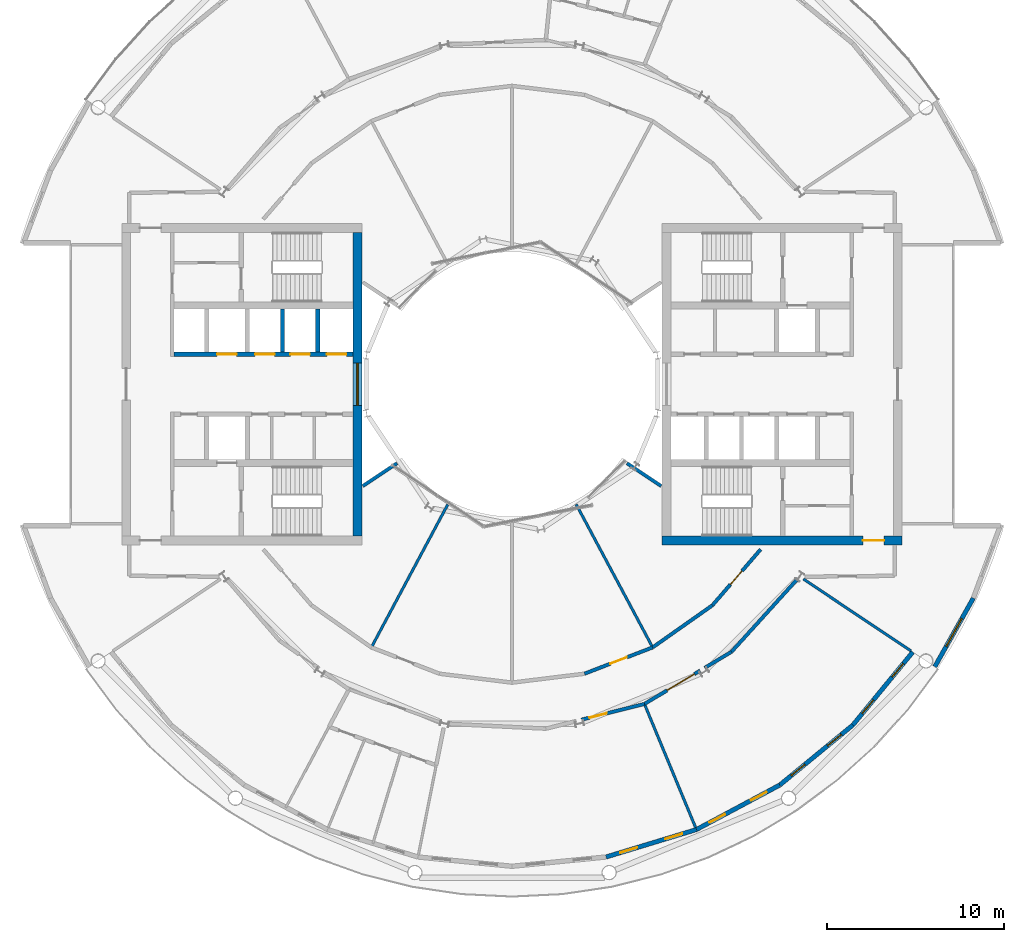
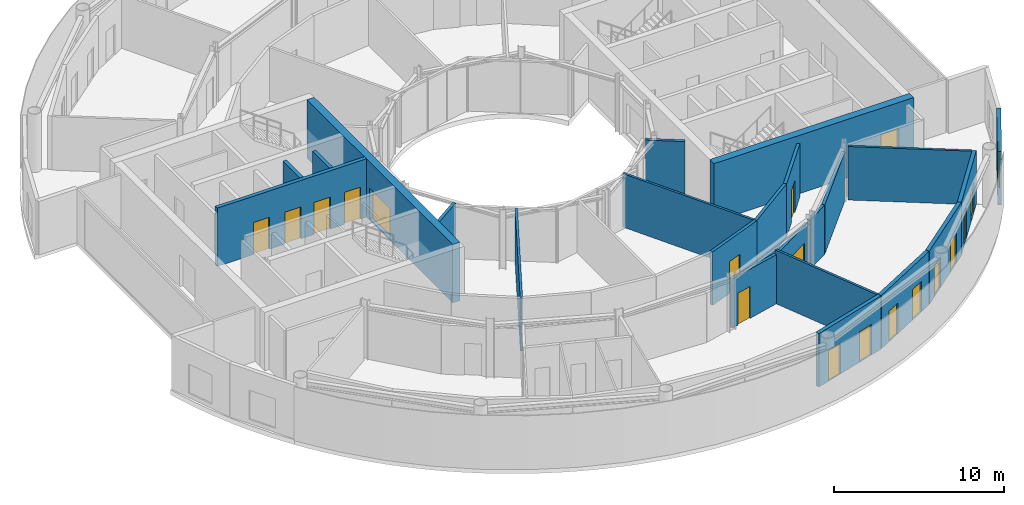
# One storey, part 14 of 21: 23 walls, 17 doors, 2 windows, 19 openings.
"""IFC4 building model written with IfcOpenShell, lengths in metres."""

from ifc_helpers import new_model, si_unit, direction, frame, frame_2d, origin, place, context, subcontext, project, spatial, rectangle, extrude, material, layer, layer_set, type_object, element, fill, save


model = new_model("IFC4")

# Units and contexts
model_context = context("Model", 3, precision=1e-05, world=origin(), true_north=direction((0.0, 1.0)))
body_context = subcontext(model_context, "Body", "Model", "MODEL_VIEW")
ifc_project = project(units=[si_unit("LENGTHUNIT", "METRE"), si_unit("AREAUNIT", "SQUARE_METRE"), si_unit("VOLUMEUNIT", "CUBIC_METRE"), si_unit("PLANEANGLEUNIT", "RADIAN"), si_unit("MASSUNIT", "GRAM", prefix="KILO")], contexts=[model_context])

# Site, building, storey
site_placement = place(None, origin())
site = spatial("IfcSite", under=ifc_project, at=site_placement, CompositionType="ELEMENT")
building_placement = place(site_placement, origin())
building = spatial("IfcBuilding", under=site, at=building_placement, Name="Maasbend Ring Residences", CompositionType="ELEMENT")
storey_placement = place(building_placement, frame((0.0, 0.0, 157.39990234375)))
storey = spatial("IfcBuildingStorey", under=building, at=storey_placement, Name="L45", CompositionType="ELEMENT", Elevation=157.39990234375)

# Wall, openings, doors
ifc_material_1 = material(Name="Concrete C60/75", Category="concrete")
ifc_layer_1 = layer(ifc_material_1, 0.25)
ifc_layer_set_1 = layer_set([ifc_layer_1], Name="Concrete C60/75")
wall_type_1 = type_object("IfcWallType", Name="CORE WALL 250 C60/75", PredefinedType="SHEAR", material=ifc_layer_set_1)
wall_1_placement = place(storey_placement, frame((-9.0, 1.699951171875, 0.0), z_axis=(0.0, 0.0, 1.0), x_axis=(-1.0, 0.0, 0.0)))
wall_1 = element("IfcWall", 1, at=wall_1_placement, inside=storey, type_object=wall_type_1, Name="L45 core W wall SPS", PredefinedType="SHEAR", context=body_context, shape_type="SweptSolid", body=[
    extrude(rectangle(XDim=10.14990234375, YDim=0.25, at=frame_2d((5.074951171875, 0.0))), origin(), (0.0, 0.0, 1.0), 4.2001953125),
])
opening_1_placement = place(wall_1_placement, frame((0.387451171875, 0.0, 0.0)))
opening_1 = element("IfcOpeningElement", 2, at=opening_1_placement, cuts=wall_1, Name="Opening LD-W4502", PredefinedType="OPENING", context=body_context, shape_type="SweptSolid", body=[
    extrude(rectangle(XDim=1.10009765625, YDim=2.300048828125, at=frame_2d((0.550048828125, 1.14990234375))), frame((0.0, 0.135009765625, 0.0), z_axis=(0.0, -1.0, 0.0), x_axis=(1.0, 0.0, 0.0)), (0.0, 0.0, 1.0), 0.27001953125),
])
opening_2_placement = place(wall_1_placement, frame((2.449951171875, 0.0, 0.0)))
opening_2 = element("IfcOpeningElement", 3, at=opening_2_placement, cuts=wall_1, Name="Opening LD-W4503", PredefinedType="OPENING", context=body_context, shape_type="SweptSolid", body=[
    extrude(rectangle(XDim=1.10009765625, YDim=2.300048828125, at=frame_2d((0.550048828125, 1.14990234375))), frame((0.0, 0.135009765625, 0.0), z_axis=(0.0, -1.0, 0.0), x_axis=(1.0, 0.0, 0.0)), (0.0, 0.0, 1.0), 0.27001953125),
])
opening_3_placement = place(wall_1_placement, frame((4.449951171875, 0.0, 0.0)))
opening_3 = element("IfcOpeningElement", 4, at=opening_3_placement, cuts=wall_1, Name="Opening LD-W4504", PredefinedType="OPENING", context=body_context, shape_type="SweptSolid", body=[
    extrude(rectangle(XDim=1.10009765625, YDim=2.300048828125, at=frame_2d((0.550048828125, 1.14990234375))), frame((0.0, 0.135009765625, 0.0), z_axis=(0.0, -1.0, 0.0), x_axis=(1.0, 0.0, 0.0)), (0.0, 0.0, 1.0), 0.27001953125),
])
opening_4_placement = place(wall_1_placement, frame((6.60009765625, 0.0, 0.0)))
opening_4 = element("IfcOpeningElement", 5, at=opening_4_placement, cuts=wall_1, Name="Opening LD-W4505", PredefinedType="OPENING", context=body_context, shape_type="SweptSolid", body=[
    extrude(rectangle(XDim=1.10009765625, YDim=2.300048828125, at=frame_2d((0.550048828125, 1.14990234375))), frame((0.0, 0.135009765625, 0.0), z_axis=(0.0, -1.0, 0.0), x_axis=(1.0, 0.0, 0.0)), (0.0, 0.0, 1.0), 0.27001953125),
])
ifc_material_2 = material(Name="Stainless steel 316", Category="steel")
door_type_1 = type_object("IfcDoorType", Name="LANDING DOOR 1100 X 2300 FD60", OperationType="DOUBLE_DOOR_SLIDING", PredefinedType="DOOR", material=ifc_material_2)
door_1_placement = place(opening_1_placement, origin())
door_1 = element("IfcDoor", 6, at=door_1_placement, inside=storey, type_object=door_type_1, Name="Landing door HR-W1 L45", OperationType="DOUBLE_DOOR_SLIDING", OverallHeight=2.300048828125, OverallWidth=1.10009765625, PredefinedType="DOOR", context=body_context, shape_type="SweptSolid", body=[
    extrude(rectangle(XDim=1.10009765625, YDim=2.300048828125, at=frame_2d((0.550048828125, 1.14990234375))), frame((0.0, 0.02490234375, 0.0), z_axis=(0.0, -1.0, 0.0), x_axis=(1.0, 0.0, 0.0)), (0.0, 0.0, 1.0), 0.050048828125),
])
fill(opening_1, door_1)
door_2_placement = place(opening_2_placement, origin())
door_2 = element("IfcDoor", 7, at=door_2_placement, inside=storey, type_object=door_type_1, Name="Landing door HR-W2 L45", OperationType="DOUBLE_DOOR_SLIDING", OverallHeight=2.300048828125, OverallWidth=1.10009765625, PredefinedType="DOOR", context=body_context, shape_type="SweptSolid", body=[
    extrude(rectangle(XDim=1.10009765625, YDim=2.300048828125, at=frame_2d((0.550048828125, 1.14990234375))), frame((0.0, 0.02490234375, 0.0), z_axis=(0.0, -1.0, 0.0), x_axis=(1.0, 0.0, 0.0)), (0.0, 0.0, 1.0), 0.050048828125),
])
fill(opening_2, door_2)
door_3_placement = place(opening_3_placement, origin())
door_3 = element("IfcDoor", 8, at=door_3_placement, inside=storey, type_object=door_type_1, Name="Landing door HR-W3 L45", OperationType="DOUBLE_DOOR_SLIDING", OverallHeight=2.300048828125, OverallWidth=1.10009765625, PredefinedType="DOOR", context=body_context, shape_type="SweptSolid", body=[
    extrude(rectangle(XDim=1.10009765625, YDim=2.300048828125, at=frame_2d((0.550048828125, 1.14990234375))), frame((0.0, 0.02490234375, 0.0), z_axis=(0.0, -1.0, 0.0), x_axis=(1.0, 0.0, 0.0)), (0.0, 0.0, 1.0), 0.050048828125),
])
fill(opening_3, door_3)
door_4_placement = place(opening_4_placement, origin())
door_4 = element("IfcDoor", 9, at=door_4_placement, inside=storey, type_object=door_type_1, Name="Landing door SV-W L45", OperationType="DOUBLE_DOOR_SLIDING", OverallHeight=2.300048828125, OverallWidth=1.10009765625, PredefinedType="DOOR", context=body_context, shape_type="SweptSolid", body=[
    extrude(rectangle(XDim=1.10009765625, YDim=2.300048828125, at=frame_2d((0.550048828125, 1.14990234375))), frame((0.0, 0.02490234375, 0.0), z_axis=(0.0, -1.0, 0.0), x_axis=(1.0, 0.0, 0.0)), (0.0, 0.0, 1.0), 0.050048828125),
])
fill(opening_4, door_4)

# Wall, opening, door
ifc_material_3 = material(Name="Concrete C60/75", Category="concrete")
ifc_layer_2 = layer(ifc_material_3, 0.5)
ifc_layer_set_2 = layer_set([ifc_layer_2], Name="Concrete C60/75")
wall_type_2 = type_object("IfcWallType", Name="CORE WALL 500 C60/75", PredefinedType="SHEAR", material=ifc_layer_set_2)
wall_2_placement = place(storey_placement, frame((8.5, -8.85009765625, 0.0), z_axis=(0.0, 0.0, 1.0), x_axis=(1.0, 0.0, 0.0)))
wall_2 = element("IfcWall", 10, at=wall_2_placement, inside=storey, type_object=wall_type_2, Name="L45 core E wall PS", PredefinedType="SHEAR", context=body_context, shape_type="SweptSolid", body=[
    extrude(rectangle(XDim=13.60009765625, YDim=0.5, at=frame_2d((6.800048828125, 0.0))), origin(), (0.0, 0.0, 1.0), 4.2001953125),
])
opening_5_placement = place(wall_2_placement, frame((11.375, 0.0, 0.0)))
opening_5 = element("IfcOpeningElement", 11, at=opening_5_placement, cuts=wall_2, Name="Opening D-E4516", PredefinedType="OPENING", context=body_context, shape_type="SweptSolid", body=[
    extrude(rectangle(XDim=1.199951171875, YDim=2.300048828125, at=frame_2d((0.60009765625, 1.14990234375))), frame((0.0, 0.260009765625, 0.0), z_axis=(0.0, -1.0, 0.0), x_axis=(1.0, 0.0, 0.0)), (0.0, 0.0, 1.0), 0.52001953125),
])
ifc_material_4 = material(Name="Steel, powder coated", Category="steel")
door_type_2 = type_object("IfcDoorType", Name="CORRIDOR DOOR 1200 X 2300 FD30S", OperationType="NOTDEFINED", PredefinedType="DOOR", material=ifc_material_4)
door_5_placement = place(opening_5_placement, origin())
door_5 = element("IfcDoor", 12, at=door_5_placement, inside=storey, type_object=door_type_2, Name="Corridor door L45", OperationType="SINGLE_SWING_LEFT", OverallHeight=2.300048828125, OverallWidth=1.199951171875, PredefinedType="DOOR", context=body_context, shape_type="SweptSolid", body=[
    extrude(rectangle(XDim=1.199951171875, YDim=2.300048828125, at=frame_2d((0.60009765625, 1.14990234375))), frame((0.0, 0.02490234375, 0.0), z_axis=(0.0, -1.0, 0.0), x_axis=(1.0, 0.0, 0.0)), (0.0, 0.0, 1.0), 0.050048828125),
])
fill(opening_5, door_5)

# Wall, opening, window
wall_3_placement = place(storey_placement, frame((-8.75, 8.60009765625, 0.0), z_axis=(0.0, 0.0, 1.0), x_axis=(0.0, -1.0, 0.0)))
wall_3 = element("IfcWall", 13, at=wall_3_placement, inside=storey, type_object=wall_type_2, Name="L45 core W wall PIN", PredefinedType="SHEAR", context=body_context, shape_type="SweptSolid", body=[
    extrude(rectangle(XDim=17.2001953125, YDim=0.5, at=frame_2d((8.60009765625, 0.0))), origin(), (0.0, 0.0, 1.0), 4.2001953125),
])
opening_6_placement = place(wall_3_placement, frame((7.39990234375, 0.0, 0.10009765625)))
opening_6 = element("IfcOpeningElement", 14, at=opening_6_placement, cuts=wall_3, Name="Opening W-W4501", PredefinedType="OPENING", context=body_context, shape_type="SweptSolid", body=[
    extrude(rectangle(XDim=2.39990234375, YDim=2.199951171875, at=frame_2d((1.199951171875, 1.10009765625))), frame((0.0, 0.260009765625, 0.0), z_axis=(0.0, -1.0, 0.0), x_axis=(1.0, 0.0, 0.0)), (0.0, 0.0, 1.0), 0.52001953125),
])
ifc_material_5 = material(Name="Aluminium frame and clear glass", Category="aluminium")
window_type_1 = type_object("IfcWindowType", Name="FIXED WINDOW 2400 X 2200", PartitioningType="SINGLE_PANEL", PredefinedType="WINDOW", material=ifc_material_5)
window_1_placement = place(opening_6_placement, origin())
window_1 = element("IfcWindow", 15, at=window_1_placement, inside=storey, type_object=window_type_1, Name="Lobby window L45", OverallHeight=2.199951171875, OverallWidth=2.39990234375, PartitioningType="SINGLE_PANEL", PredefinedType="WINDOW", context=body_context, shape_type="SweptSolid", body=[
    extrude(rectangle(XDim=2.39990234375, YDim=2.199951171875, at=frame_2d((1.199951171875, 1.10009765625))), frame((0.0, 0.030029296875, 0.0), z_axis=(0.0, -1.0, 0.0), x_axis=(1.0, 0.0, 0.0)), (0.0, 0.0, 1.0), 0.06005859375),
])
fill(opening_6, window_1)

# Wall, opening, door
ifc_material_6 = material(Name="Concrete C30/37", Category="concrete")
ifc_layer_3 = layer(ifc_material_6, 0.199951171875)
ifc_layer_set_3 = layer_set([ifc_layer_3], Name="Concrete C30/37")
wall_type_3 = type_object("IfcWallType", Name="CORRIDOR WALL 200 CONCRETE", PredefinedType="PARTITIONING", material=ifc_layer_set_3)
wall_4_placement = place(storey_placement, frame((3.93310546875, -19.001953125, 0.0), z_axis=(0.0, 0.0, 1.0), x_axis=(0.970009604092, 0.243066591637, 0.0)))
wall_4 = element("IfcWall", 16, at=wall_4_placement, inside=storey, type_object=wall_type_3, Name="U-L45-w010", PredefinedType="PARTITIONING", context=body_context, shape_type="SweptSolid", body=[
    extrude(rectangle(XDim=3.67822265625, YDim=0.199951171875, at=frame_2d((1.839111328125, 0.0))), origin(), (0.0, 0.0, 1.0), 3.5400390625),
])
opening_7_placement = place(wall_4_placement, frame((0.47607421875, 0.0, 0.0)))
opening_7 = element("IfcOpeningElement", 17, at=opening_7_placement, cuts=wall_4, Name="Opening D-4517", PredefinedType="OPENING", context=body_context, shape_type="SweptSolid", body=[
    extrude(rectangle(XDim=1.0, YDim=2.300048828125, at=frame_2d((0.5, 1.14990234375))), frame((0.0, 0.10986328125, 0.0), z_axis=(0.0, -1.0, 0.0), x_axis=(1.0, 0.0, 0.0)), (0.0, 0.0, 1.0), 0.219970703125),
])
ifc_material_7 = material(Name="Timber, painted", Category="wood")
door_type_3 = type_object("IfcDoorType", Name="ROOM DOOR 1000 X 2300", OperationType="NOTDEFINED", PredefinedType="DOOR", material=ifc_material_7)
door_6_placement = place(opening_7_placement, origin())
door_6 = element("IfcDoor", 18, at=door_6_placement, inside=storey, type_object=door_type_3, Name="D-4517", OperationType="SINGLE_SWING_LEFT", OverallHeight=2.300048828125, OverallWidth=1.0, PredefinedType="DOOR", context=body_context, shape_type="SweptSolid", body=[
    extrude(rectangle(XDim=1.0, YDim=2.300048828125, at=frame_2d((0.5, 1.14990234375))), frame((0.0, 0.02490234375, 0.0), z_axis=(0.0, -1.0, 0.0), x_axis=(1.0, 0.0, 0.0)), (0.0, 0.0, 1.0), 0.050048828125),
])
fill(opening_7, door_6)

wall_5_placement = place(storey_placement, frame((7.5009765625, -18.10791015625, 0.0), z_axis=(0.0, 0.0, 1.0), x_axis=(0.857750505244, 0.514066212421, 0.0)))
wall_5 = element("IfcWall", 19, at=wall_5_placement, inside=storey, type_object=wall_type_3, Name="U-L45-w011", PredefinedType="PARTITIONING", context=body_context, shape_type="SweptSolid", body=[
    extrude(rectangle(XDim=3.67822265625, YDim=0.199951171875, at=frame_2d((1.839111328125, 0.0))), origin(), (0.0, 0.0, 1.0), 3.5400390625),
])
opening_8_placement = place(wall_5_placement, frame((1.5, 0.0, 0.0)))
opening_8 = element("IfcOpeningElement", 20, at=opening_8_placement, cuts=wall_5, Name="Opening D-4518", PredefinedType="OPENING", context=body_context, shape_type="SweptSolid", body=[
    extrude(rectangle(XDim=1.800048828125, YDim=2.300048828125, at=frame_2d((0.89990234375, 1.14990234375))), frame((0.0, 0.10986328125, 0.0), z_axis=(0.0, -1.0, 0.0), x_axis=(1.0, 0.0, 0.0)), (0.0, 0.0, 1.0), 0.219970703125),
])
ifc_material_8 = material(Name="Timber, painted", Category="wood")
door_type_4 = type_object("IfcDoorType", Name="DOUBLE DOOR 1800 X 2300", OperationType="NOTDEFINED", PredefinedType="DOOR", material=ifc_material_8)
door_7_placement = place(opening_8_placement, origin())
door_7 = element("IfcDoor", 21, at=door_7_placement, inside=storey, type_object=door_type_4, Name="D-4518", OperationType="DOUBLE_DOOR_SINGLE_SWING", OverallHeight=2.300048828125, OverallWidth=1.800048828125, PredefinedType="DOOR", context=body_context, shape_type="SweptSolid", body=[
    extrude(rectangle(XDim=1.800048828125, YDim=2.300048828125, at=frame_2d((0.89990234375, 1.14990234375))), frame((0.0, 0.02490234375, 0.0), z_axis=(0.0, -1.0, 0.0), x_axis=(1.0, 0.0, 0.0)), (0.0, 0.0, 1.0), 0.050048828125),
])
fill(opening_8, door_7)

# Walls
wall_6_placement = place(storey_placement, frame((10.9130859375, -16.06298828125, 0.0), z_axis=(0.0, 0.0, 1.0), x_axis=(0.857614365469, 0.514293301668, 0.0)))
element("IfcWall", 22, at=wall_6_placement, inside=storey, type_object=wall_type_3, Name="U-L45-w012", PredefinedType="PARTITIONING", context=body_context, shape_type="SweptSolid", body=[
    extrude(rectangle(XDim=1.7734375, YDim=0.199951171875, at=frame_2d((0.88671875, 0.0))), origin(), (0.0, 0.0, 1.0), 3.5400390625),
])
wall_7_placement = place(storey_placement, frame((12.43408203125, -15.15087890625, 0.0), z_axis=(0.0, 0.0, 1.0), x_axis=(0.671532887857, 0.740974750262, 0.0)))
element("IfcWall", 23, at=wall_7_placement, inside=storey, type_object=wall_type_3, Name="U-L45-w013", PredefinedType="PARTITIONING", context=body_context, shape_type="SweptSolid", body=[
    extrude(rectangle(XDim=5.6005859375, YDim=0.199951171875, at=frame_2d((2.80029296875, 0.0))), origin(), (0.0, 0.0, 1.0), 3.5400390625),
])

# Wall, opening, door
wall_8_placement = place(storey_placement, frame((4.10595703125, -16.39404296875, 0.0), z_axis=(0.0, 0.0, 1.0), x_axis=(0.932943640288, 0.360022449363, 0.0)))
wall_8 = element("IfcWall", 24, at=wall_8_placement, inside=storey, type_object=wall_type_3, Name="U-L45-w019", PredefinedType="PARTITIONING", context=body_context, shape_type="SweptSolid", body=[
    extrude(rectangle(XDim=4.138671875, YDim=0.199951171875, at=frame_2d((2.0693359375, 0.0))), origin(), (0.0, 0.0, 1.0), 3.85009765625),
])
opening_9_placement = place(wall_8_placement, frame((1.569091796875, 0.0, 0.0)))
opening_9 = element("IfcOpeningElement", 25, at=opening_9_placement, cuts=wall_8, Name="Opening D-4521", PredefinedType="OPENING", context=body_context, shape_type="SweptSolid", body=[
    extrude(rectangle(XDim=1.0, YDim=2.300048828125, at=frame_2d((0.5, 1.14990234375))), frame((0.0, 0.10986328125, 0.0), z_axis=(0.0, -1.0, 0.0), x_axis=(1.0, 0.0, 0.0)), (0.0, 0.0, 1.0), 0.219970703125),
])
door_8_placement = place(opening_9_placement, origin())
door_8 = element("IfcDoor", 26, at=door_8_placement, inside=storey, type_object=door_type_3, Name="D-4521", OperationType="SINGLE_SWING_RIGHT", OverallHeight=2.300048828125, OverallWidth=1.0, PredefinedType="DOOR", context=body_context, shape_type="SweptSolid", body=[
    extrude(rectangle(XDim=1.0, YDim=2.300048828125, at=frame_2d((0.5, 1.14990234375))), frame((0.0, 0.02490234375, 0.0), z_axis=(0.0, -1.0, 0.0), x_axis=(1.0, 0.0, 0.0)), (0.0, 0.0, 1.0), 0.050048828125),
])
fill(opening_9, door_8)

# Wall
wall_9_placement = place(storey_placement, frame((7.967041015625, -14.904052734375, 0.0), z_axis=(0.0, 0.0, 1.0), x_axis=(0.817567680547, 0.575832517079, 0.0)))
element("IfcWall", 27, at=wall_9_placement, inside=storey, type_object=wall_type_3, Name="U-L45-w020", PredefinedType="PARTITIONING", context=body_context, shape_type="SweptSolid", body=[
    extrude(rectangle(XDim=4.13671875, YDim=0.199951171875, at=frame_2d((2.068359375, 0.0))), origin(), (0.0, 0.0, 1.0), 3.85009765625),
])

# Wall, opening, door
wall_10_placement = place(storey_placement, frame((11.34912109375, -12.52197265625, 0.0), z_axis=(0.0, 0.0, 1.0), x_axis=(0.653273870261, 0.757121687996, 0.0)))
wall_10 = element("IfcWall", 28, at=wall_10_placement, inside=storey, type_object=wall_type_3, Name="U-L45-w021", PredefinedType="PARTITIONING", context=body_context, shape_type="SweptSolid", body=[
    extrude(rectangle(XDim=4.189453125, YDim=0.199951171875, at=frame_2d((2.0947265625, 0.0))), origin(), (0.0, 0.0, 1.0), 3.85009765625),
])
opening_10_placement = place(wall_10_placement, frame((1.569091796875, 0.0, 0.0)))
opening_10 = element("IfcOpeningElement", 29, at=opening_10_placement, cuts=wall_10, Name="Opening D-4522", PredefinedType="OPENING", context=body_context, shape_type="SweptSolid", body=[
    extrude(rectangle(XDim=1.0, YDim=2.300048828125, at=frame_2d((0.5, 1.14990234375))), frame((0.0, 0.10986328125, 0.0), z_axis=(0.0, -1.0, 0.0), x_axis=(1.0, 0.0, 0.0)), (0.0, 0.0, 1.0), 0.219970703125),
])
door_9_placement = place(opening_10_placement, origin())
door_9 = element("IfcDoor", 30, at=door_9_placement, inside=storey, type_object=door_type_3, Name="D-4522", OperationType="SINGLE_SWING_RIGHT", OverallHeight=2.300048828125, OverallWidth=1.0, PredefinedType="DOOR", context=body_context, shape_type="SweptSolid", body=[
    extrude(rectangle(XDim=1.0, YDim=2.300048828125, at=frame_2d((0.5, 1.14990234375))), frame((0.0, 0.02490234375, 0.0), z_axis=(0.0, -1.0, 0.0), x_axis=(1.0, 0.0, 0.0)), (0.0, 0.0, 1.0), 0.050048828125),
])
fill(opening_10, door_9)

# Wall, openings, doors
ifc_material_9 = material(Name="Aluminium clad insulated panel", Category="aluminium")
ifc_layer_4 = layer(ifc_material_9, 0.25)
ifc_layer_set_4 = layer_set([ifc_layer_4], Name="EW-GL")
wall_type_4 = type_object("IfcWallType", Name="EW-GL", PredefinedType="SOLIDWALL", material=ifc_layer_set_4)
wall_11_placement = place(storey_placement, frame((5.325927734375, -26.77490234375, 0.0), z_axis=(0.0, 0.0, 1.0), x_axis=(0.956965678721, 0.290201119486, 0.0)))
wall_11 = element("IfcWall", 31, at=wall_11_placement, inside=storey, type_object=wall_type_4, Name="External wall S07", PredefinedType="SOLIDWALL", context=body_context, shape_type="SweptSolid", body=[
    extrude(rectangle(XDim=5.351318359375, YDim=0.25, at=frame_2d((2.67578125, 0.0))), origin(), (0.0, 0.0, 1.0), 3.85009765625),
])
opening_11_placement = place(wall_11_placement, frame((0.841064453125, 0.0, 0.0)))
opening_11 = element("IfcOpeningElement", 32, at=opening_11_placement, cuts=wall_11, Name="Opening D-LG", PredefinedType="OPENING", context=body_context, shape_type="SweptSolid", body=[
    extrude(rectangle(XDim=1.0, YDim=2.199951171875, at=frame_2d((0.5, 1.10009765625))), frame((0.0, 0.135009765625, 0.0), z_axis=(0.0, -1.0, 0.0), x_axis=(1.0, 0.0, 0.0)), (0.0, 0.0, 1.0), 0.27001953125),
])
opening_12_placement = place(wall_11_placement, frame((3.510498046875, 0.0, 0.0)))
opening_12 = element("IfcOpeningElement", 33, at=opening_12_placement, cuts=wall_11, Name="Opening D-LG", PredefinedType="OPENING", context=body_context, shape_type="SweptSolid", body=[
    extrude(rectangle(XDim=1.0, YDim=2.199951171875, at=frame_2d((0.5, 1.10009765625))), frame((0.0, 0.135009765625, 0.0), z_axis=(0.0, -1.0, 0.0), x_axis=(1.0, 0.0, 0.0)), (0.0, 0.0, 1.0), 0.27001953125),
])
ifc_material_10 = material(Name="Aluminium and clear glass", Category="aluminium")
door_type_5 = type_object("IfcDoorType", Name="D-LG", OperationType="SINGLE_SWING_LEFT", PredefinedType="DOOR", material=ifc_material_10)
door_10_placement = place(opening_11_placement, origin())
door_10 = element("IfcDoor", 34, at=door_10_placement, inside=storey, type_object=door_type_5, Name="Loggia door S13", OperationType="SINGLE_SWING_LEFT", OverallHeight=2.199951171875, OverallWidth=1.0, PredefinedType="DOOR", context=body_context, shape_type="SweptSolid", body=[
    extrude(rectangle(XDim=1.0, YDim=2.199951171875, at=frame_2d((0.5, 1.10009765625))), frame((0.0, 0.02490234375, 0.0), z_axis=(0.0, -1.0, 0.0), x_axis=(1.0, 0.0, 0.0)), (0.0, 0.0, 1.0), 0.050048828125),
])
fill(opening_11, door_10)
door_11_placement = place(opening_12_placement, origin())
door_11 = element("IfcDoor", 35, at=door_11_placement, inside=storey, type_object=door_type_5, Name="Loggia door S14", OperationType="SINGLE_SWING_LEFT", OverallHeight=2.199951171875, OverallWidth=1.0, PredefinedType="DOOR", context=body_context, shape_type="SweptSolid", body=[
    extrude(rectangle(XDim=1.0, YDim=2.199951171875, at=frame_2d((0.5, 1.10009765625))), frame((0.0, 0.02490234375, 0.0), z_axis=(0.0, -1.0, 0.0), x_axis=(1.0, 0.0, 0.0)), (0.0, 0.0, 1.0), 0.050048828125),
])
fill(opening_12, door_11)

wall_12_placement = place(storey_placement, frame((10.447021484375, -25.221923828125, 0.0), z_axis=(0.0, 0.0, 1.0), x_axis=(0.881915646801, 0.471407246368, 0.0)))
wall_12 = element("IfcWall", 36, at=wall_12_placement, inside=storey, type_object=wall_type_4, Name="External wall S08", PredefinedType="SOLIDWALL", context=body_context, shape_type="SweptSolid", body=[
    extrude(rectangle(XDim=5.35205078125, YDim=0.25, at=frame_2d((2.676025390625, 0.0))), origin(), (0.0, 0.0, 1.0), 3.85009765625),
])
opening_13_placement = place(wall_12_placement, frame((0.841064453125, 0.0, 0.0)))
opening_13 = element("IfcOpeningElement", 37, at=opening_13_placement, cuts=wall_12, Name="Opening D-LG", PredefinedType="OPENING", context=body_context, shape_type="SweptSolid", body=[
    extrude(rectangle(XDim=1.0, YDim=2.199951171875, at=frame_2d((0.5, 1.10009765625))), frame((0.0, 0.135009765625, 0.0), z_axis=(0.0, -1.0, 0.0), x_axis=(1.0, 0.0, 0.0)), (0.0, 0.0, 1.0), 0.27001953125),
])
opening_14_placement = place(wall_12_placement, frame((3.510498046875, 0.0, 0.0)))
opening_14 = element("IfcOpeningElement", 38, at=opening_14_placement, cuts=wall_12, Name="Opening D-LG", PredefinedType="OPENING", context=body_context, shape_type="SweptSolid", body=[
    extrude(rectangle(XDim=1.0, YDim=2.199951171875, at=frame_2d((0.5, 1.10009765625))), frame((0.0, 0.135009765625, 0.0), z_axis=(0.0, -1.0, 0.0), x_axis=(1.0, 0.0, 0.0)), (0.0, 0.0, 1.0), 0.27001953125),
])
door_12_placement = place(opening_13_placement, origin())
door_12 = element("IfcDoor", 39, at=door_12_placement, inside=storey, type_object=door_type_5, Name="Loggia door S15", OperationType="SINGLE_SWING_LEFT", OverallHeight=2.199951171875, OverallWidth=1.0, PredefinedType="DOOR", context=body_context, shape_type="SweptSolid", body=[
    extrude(rectangle(XDim=1.0, YDim=2.199951171875, at=frame_2d((0.5, 1.10009765625))), frame((0.0, 0.02490234375, 0.0), z_axis=(0.0, -1.0, 0.0), x_axis=(1.0, 0.0, 0.0)), (0.0, 0.0, 1.0), 0.050048828125),
])
fill(opening_13, door_12)
door_13_placement = place(opening_14_placement, origin())
door_13 = element("IfcDoor", 40, at=door_13_placement, inside=storey, type_object=door_type_5, Name="Loggia door S16", OperationType="SINGLE_SWING_LEFT", OverallHeight=2.199951171875, OverallWidth=1.0, PredefinedType="DOOR", context=body_context, shape_type="SweptSolid", body=[
    extrude(rectangle(XDim=1.0, YDim=2.199951171875, at=frame_2d((0.5, 1.10009765625))), frame((0.0, 0.02490234375, 0.0), z_axis=(0.0, -1.0, 0.0), x_axis=(1.0, 0.0, 0.0)), (0.0, 0.0, 1.0), 0.050048828125),
])
fill(opening_14, door_13)

wall_13_placement = place(storey_placement, frame((15.1669921875, -22.698974609375, 0.0), z_axis=(0.0, 0.0, 1.0), x_axis=(0.773019449054, 0.634382322723, 0.0)))
wall_13 = element("IfcWall", 41, at=wall_13_placement, inside=storey, type_object=wall_type_4, Name="External wall S09", PredefinedType="SOLIDWALL", context=body_context, shape_type="SweptSolid", body=[
    extrude(rectangle(XDim=5.351806640625, YDim=0.25, at=frame_2d((2.67578125, 0.0))), origin(), (0.0, 0.0, 1.0), 3.85009765625),
])
opening_15_placement = place(wall_13_placement, frame((0.841064453125, 0.0, 0.0)))
opening_15 = element("IfcOpeningElement", 42, at=opening_15_placement, cuts=wall_13, Name="Opening D-LG", PredefinedType="OPENING", context=body_context, shape_type="SweptSolid", body=[
    extrude(rectangle(XDim=1.0, YDim=2.199951171875, at=frame_2d((0.5, 1.10009765625))), frame((0.0, 0.135009765625, 0.0), z_axis=(0.0, -1.0, 0.0), x_axis=(1.0, 0.0, 0.0)), (0.0, 0.0, 1.0), 0.27001953125),
])
opening_16_placement = place(wall_13_placement, frame((3.510498046875, 0.0, 0.0)))
opening_16 = element("IfcOpeningElement", 43, at=opening_16_placement, cuts=wall_13, Name="Opening D-LG", PredefinedType="OPENING", context=body_context, shape_type="SweptSolid", body=[
    extrude(rectangle(XDim=1.0, YDim=2.199951171875, at=frame_2d((0.5, 1.10009765625))), frame((0.0, 0.135009765625, 0.0), z_axis=(0.0, -1.0, 0.0), x_axis=(1.0, 0.0, 0.0)), (0.0, 0.0, 1.0), 0.27001953125),
])
door_14_placement = place(opening_15_placement, origin())
door_14 = element("IfcDoor", 44, at=door_14_placement, inside=storey, type_object=door_type_5, Name="Loggia door S17", OperationType="SINGLE_SWING_LEFT", OverallHeight=2.199951171875, OverallWidth=1.0, PredefinedType="DOOR", context=body_context, shape_type="SweptSolid", body=[
    extrude(rectangle(XDim=1.0, YDim=2.199951171875, at=frame_2d((0.5, 1.10009765625))), frame((0.0, 0.02490234375, 0.0), z_axis=(0.0, -1.0, 0.0), x_axis=(1.0, 0.0, 0.0)), (0.0, 0.0, 1.0), 0.050048828125),
])
fill(opening_15, door_14)
door_15_placement = place(opening_16_placement, origin())
door_15 = element("IfcDoor", 45, at=door_15_placement, inside=storey, type_object=door_type_5, Name="Loggia door S18", OperationType="SINGLE_SWING_LEFT", OverallHeight=2.199951171875, OverallWidth=1.0, PredefinedType="DOOR", context=body_context, shape_type="SweptSolid", body=[
    extrude(rectangle(XDim=1.0, YDim=2.199951171875, at=frame_2d((0.5, 1.10009765625))), frame((0.0, 0.02490234375, 0.0), z_axis=(0.0, -1.0, 0.0), x_axis=(1.0, 0.0, 0.0)), (0.0, 0.0, 1.0), 0.050048828125),
])
fill(opening_16, door_15)

wall_14_placement = place(storey_placement, frame((19.303955078125, -19.303955078125, 0.0), z_axis=(0.0, 0.0, 1.0), x_axis=(0.634382322723, 0.773019449054, 0.0)))
wall_14 = element("IfcWall", 46, at=wall_14_placement, inside=storey, type_object=wall_type_4, Name="External wall S10", PredefinedType="SOLIDWALL", context=body_context, shape_type="SweptSolid", body=[
    extrude(rectangle(XDim=5.351806640625, YDim=0.25, at=frame_2d((2.67578125, 0.0))), origin(), (0.0, 0.0, 1.0), 3.85009765625),
])
opening_17_placement = place(wall_14_placement, frame((0.841064453125, 0.0, 0.0)))
opening_17 = element("IfcOpeningElement", 47, at=opening_17_placement, cuts=wall_14, Name="Opening D-LG", PredefinedType="OPENING", context=body_context, shape_type="SweptSolid", body=[
    extrude(rectangle(XDim=1.0, YDim=2.199951171875, at=frame_2d((0.5, 1.10009765625))), frame((0.0, 0.135009765625, 0.0), z_axis=(0.0, -1.0, 0.0), x_axis=(1.0, 0.0, 0.0)), (0.0, 0.0, 1.0), 0.27001953125),
])
opening_18_placement = place(wall_14_placement, frame((3.510498046875, 0.0, 0.0)))
opening_18 = element("IfcOpeningElement", 48, at=opening_18_placement, cuts=wall_14, Name="Opening D-LG", PredefinedType="OPENING", context=body_context, shape_type="SweptSolid", body=[
    extrude(rectangle(XDim=1.0, YDim=2.199951171875, at=frame_2d((0.5, 1.10009765625))), frame((0.0, 0.135009765625, 0.0), z_axis=(0.0, -1.0, 0.0), x_axis=(1.0, 0.0, 0.0)), (0.0, 0.0, 1.0), 0.27001953125),
])
door_16_placement = place(opening_17_placement, origin())
door_16 = element("IfcDoor", 49, at=door_16_placement, inside=storey, type_object=door_type_5, Name="Loggia door S19", OperationType="SINGLE_SWING_LEFT", OverallHeight=2.199951171875, OverallWidth=1.0, PredefinedType="DOOR", context=body_context, shape_type="SweptSolid", body=[
    extrude(rectangle(XDim=1.0, YDim=2.199951171875, at=frame_2d((0.5, 1.10009765625))), frame((0.0, 0.02490234375, 0.0), z_axis=(0.0, -1.0, 0.0), x_axis=(1.0, 0.0, 0.0)), (0.0, 0.0, 1.0), 0.050048828125),
])
fill(opening_17, door_16)
door_17_placement = place(opening_18_placement, origin())
door_17 = element("IfcDoor", 50, at=door_17_placement, inside=storey, type_object=door_type_5, Name="Loggia door S20", OperationType="SINGLE_SWING_LEFT", OverallHeight=2.199951171875, OverallWidth=1.0, PredefinedType="DOOR", context=body_context, shape_type="SweptSolid", body=[
    extrude(rectangle(XDim=1.0, YDim=2.199951171875, at=frame_2d((0.5, 1.10009765625))), frame((0.0, 0.02490234375, 0.0), z_axis=(0.0, -1.0, 0.0), x_axis=(1.0, 0.0, 0.0)), (0.0, 0.0, 1.0), 0.050048828125),
])
fill(opening_18, door_17)

# Wall, opening, window
ifc_material_11 = material(Name="Aluminium clad insulated panel", Category="aluminium")
ifc_layer_5 = layer(ifc_material_11, 0.25)
ifc_layer_set_5 = layer_set([ifc_layer_5], Name="EW-HORN")
wall_type_5 = type_object("IfcWallType", Name="EW-HORN", PredefinedType="SOLIDWALL", material=ifc_layer_set_5)
wall_15_placement = place(storey_placement, frame((23.946044921875, -16.0, 0.0), z_axis=(0.0, 0.0, 1.0), x_axis=(0.489696356642, 0.871893042919, 0.0)))
wall_15 = element("IfcWall", 51, at=wall_15_placement, inside=storey, type_object=wall_type_5, Name="Horn wall 2.1", PredefinedType="SOLIDWALL", context=body_context, shape_type="SweptSolid", body=[
    extrude(rectangle(XDim=4.45361328125, YDim=0.25, at=frame_2d((2.226806640625, 0.0))), origin(), (0.0, 0.0, 1.0), 3.85009765625),
])
opening_19_placement = place(wall_15_placement, frame((1.32666015625, 0.0, 0.300048828125)))
opening_19 = element("IfcOpeningElement", 52, at=opening_19_placement, cuts=wall_15, Name="Opening W-BX", PredefinedType="OPENING", context=body_context, shape_type="SweptSolid", body=[
    extrude(rectangle(XDim=1.800048828125, YDim=2.10009765625, at=frame_2d((0.89990234375, 1.050048828125))), frame((0.0, 0.135009765625, 0.0), z_axis=(0.0, -1.0, 0.0), x_axis=(1.0, 0.0, 0.0)), (0.0, 0.0, 1.0), 0.27001953125),
])
ifc_material_12 = material(Name="Aluminium and clear glass", Category="aluminium")
window_type_2 = type_object("IfcWindowType", Name="W-BX", PartitioningType="DOUBLE_PANEL_VERTICAL", PredefinedType="WINDOW", material=ifc_material_12)
window_2_placement = place(opening_19_placement, origin())
window_2 = element("IfcWindow", 53, at=window_2_placement, inside=storey, type_object=window_type_2, Name="Horn window 2.1", OverallHeight=2.10009765625, OverallWidth=1.800048828125, PartitioningType="SINGLE_PANEL", PredefinedType="WINDOW", context=body_context, shape_type="SweptSolid", body=[
    extrude(rectangle(XDim=1.800048828125, YDim=2.10009765625, at=frame_2d((0.89990234375, 1.050048828125))), frame((0.0, 0.030029296875, 0.0), z_axis=(0.0, -1.0, 0.0), x_axis=(1.0, 0.0, 0.0)), (0.0, 0.0, 1.0), 0.06005859375),
])
fill(opening_19, window_2)

# Walls
ifc_material_13 = material(Name="Gypsum board on steel studs", Category="steel")
ifc_layer_6 = layer(ifc_material_13, 0.14990234375)
ifc_layer_set_6 = layer_set([ifc_layer_6], Name="PARTITION 150 GYPSUM")
wall_type_6 = type_object("IfcWallType", Name="PARTITION 150 GYPSUM", PredefinedType="PARTITIONING", material=ifc_layer_set_6)
for number, where, z_axis, x_axis, name in (
    (54, (-7.966064453125, -14.905029296875, 0.0), (0.0, 0.0, 1.0), (0.471460365694, 0.881887251059, 0.0), "U-L45-w033"),
    (55, (3.638916015625, -6.80810546875, 0.0), (0.0, 0.0, 1.0), (0.471460365694, -0.881887251059, 0.0), "U-L45-w041"),
):
    element("IfcWall", number, at=place(storey_placement, frame(where, z_axis=z_axis, x_axis=x_axis)), inside=storey, type_object=wall_type_6, Name=name, PredefinedType="PARTITIONING", context=body_context, shape_type="SweptSolid", body=[
        extrude(rectangle(XDim=9.18017578125, YDim=0.14990234375, at=frame_2d((4.590087890625, 0.0))), origin(), (0.0, 0.0, 1.0), 3.85009765625),
    ])
wall_16_placement = place(storey_placement, frame((7.5009765625, -18.10791015625, 0.0), z_axis=(0.0, 0.0, 1.0), x_axis=(0.382600411313, -0.923913916587, 0.0)))
element("IfcWall", 56, at=wall_16_placement, inside=storey, type_object=wall_type_6, Name="U-L45-w045", PredefinedType="PARTITIONING", context=body_context, shape_type="SweptSolid", body=[
    extrude(rectangle(XDim=7.574462890625, YDim=0.14990234375, at=frame_2d((3.787109375, 0.0))), origin(), (0.0, 0.0, 1.0), 3.85009765625),
])
wall_17_placement = place(storey_placement, frame((16.5029296875, -11.031005859375, 0.0), z_axis=(0.0, 0.0, 1.0), x_axis=(0.831419048668, -0.555645899393, 0.0)))
element("IfcWall", 57, at=wall_17_placement, inside=storey, type_object=wall_type_6, Name="U-L45-w048", PredefinedType="PARTITIONING", context=body_context, shape_type="SweptSolid", body=[
    extrude(rectangle(XDim=7.324951171875, YDim=0.14990234375, at=frame_2d((3.66259765625, 0.0))), origin(), (0.0, 0.0, 1.0), 3.85009765625),
])
ifc_material_14 = material(Name="Concrete C30/37", Category="concrete")
ifc_layer_7 = layer(ifc_material_14, 0.199951171875)
ifc_layer_set_7 = layer_set([ifc_layer_7], Name="Concrete C30/37")
wall_type_7 = type_object("IfcWallType", Name="PARTY WALL 200 CONCRETE", PredefinedType="PARTITIONING", material=ifc_layer_set_7)
for number, where, z_axis, x_axis, name in (
    (58, (-6.512939453125, -4.471923828125, 0.0), (0.0, 0.0, 1.0), (-0.83133816625, -0.555766905579, 0.0), "U-L45-w024"),
    (59, (6.512939453125, -4.471923828125, 0.0), (0.0, 0.0, 1.0), (0.83133816625, -0.555766905579, 0.0), "U-L45-w025"),
):
    element("IfcWall", number, at=place(storey_placement, frame(where, z_axis=z_axis, x_axis=x_axis)), inside=storey, type_object=wall_type_7, Name=name, PredefinedType="PARTITIONING", context=body_context, shape_type="SweptSolid", body=[
        extrude(rectangle(XDim=2.322998046875, YDim=0.199951171875, at=frame_2d((1.16162109375, 0.0))), origin(), (0.0, 0.0, 1.0), 3.85009765625),
    ])
ifc_material_15 = material(Name="Concrete C30/37", Category="concrete")
ifc_layer_8 = layer(ifc_material_15, 0.25)
ifc_layer_set_8 = layer_set([ifc_layer_8], Name="Concrete C30/37")
wall_type_8 = type_object("IfcWallType", Name="SHAFT WALL 250 EI 120", PredefinedType="SOLIDWALL", material=ifc_layer_set_8)
for number, where, z_axis, x_axis, name in (
    (60, (-11.0, 1.824951171875, 0.0), (0.0, 0.0, 1.0), (0.0, 1.0, 0.0), "L45 core W wall D110S"),
    (61, (-13.0, 1.824951171875, 0.0), (0.0, 0.0, 1.0), (0.0, 1.0, 0.0), "L45 core W wall D130S"),
):
    element("IfcWall", number, at=place(storey_placement, frame(where, z_axis=z_axis, x_axis=x_axis)), inside=storey, type_object=wall_type_8, Name=name, PredefinedType="SOLIDWALL", context=body_context, shape_type="SweptSolid", body=[
        extrude(rectangle(XDim=2.449951171875, YDim=0.25, at=frame_2d((1.22509765625, 0.0))), origin(), (0.0, 0.0, 1.0), 3.85009765625),
    ])

save(model, "model.ifc")
